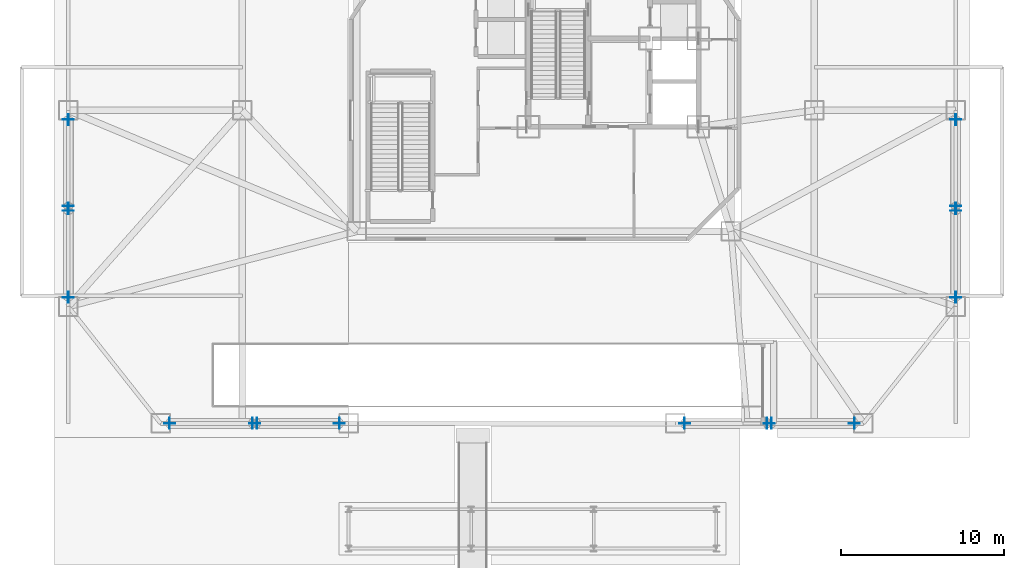
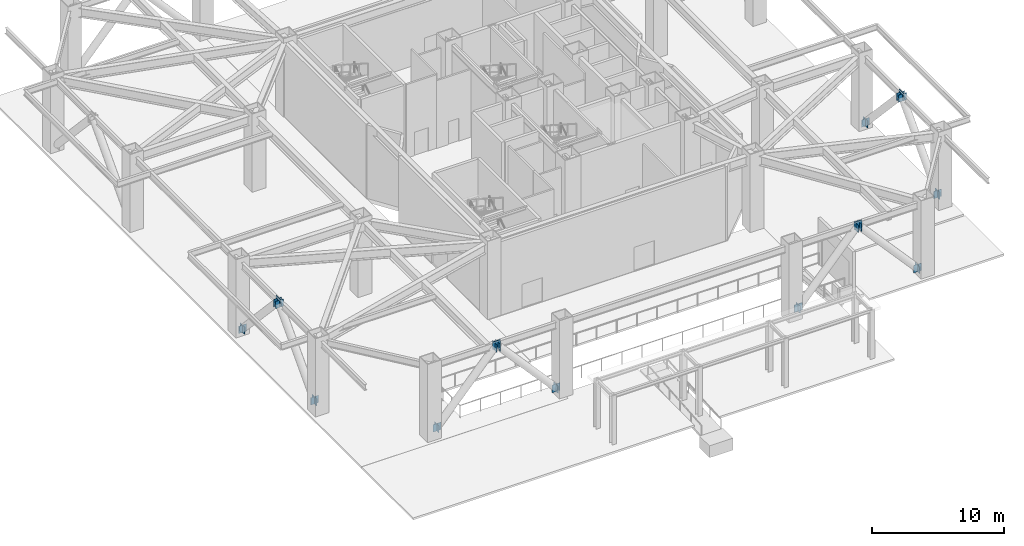
# One storey, part 7 of 14: 28 plates.
"""IFC4 building model written with IfcOpenShell, lengths in metres."""

from ifc_helpers import new_model, si_unit, direction, frame, origin, origin_2d, place, context, subcontext, project, spatial, rectangle, extrude, material, layer, layer_set, type_object, element, save


model = new_model("IFC4")

# Units and contexts
model_context = context("Model", 3, precision=1e-05, world=origin(), true_north=direction((0.0, 1.0)))
body_context = subcontext(model_context, "Body", "Model", "MODEL_VIEW")
ifc_project = project(units=[si_unit("LENGTHUNIT", "METRE"), si_unit("AREAUNIT", "SQUARE_METRE"), si_unit("VOLUMEUNIT", "CUBIC_METRE"), si_unit("PLANEANGLEUNIT", "RADIAN"), si_unit("MASSUNIT", "GRAM", prefix="KILO")], contexts=[model_context])

# Site, building, storey
site_placement = place(None, origin())
site = spatial("IfcSite", under=ifc_project, at=site_placement, CompositionType="ELEMENT")
building_placement = place(site_placement, origin())
building = spatial("IfcBuilding", under=site, at=building_placement, Name="Khamvora Tower", CompositionType="ELEMENT")
storey_placement = place(building_placement, origin())
storey = spatial("IfcBuildingStorey", under=building, at=storey_placement, Name="L00", CompositionType="ELEMENT", Elevation=0.0)

# Plates
ifc_material_1 = material(Name="Steel S355", Category="steel")
ifc_layer_1 = layer(ifc_material_1, 0.02490234375)
ifc_layer_set_1 = layer_set([ifc_layer_1], Name="Steel S355")
plate_type_1 = type_object("IfcPlateType", Name="PL-CAP-25", PredefinedType="SHEET", material=ifc_layer_set_1)
for number, where, z_axis, x_axis, name in (
    (1, (7.052001953125, 0.85009765625, 0.322021484375), (0.0, 0.0, 1.0), (1.0, 0.0, 0.0), "L00 hollow section steel end cap plate 0380"),
    (2, (12.111083984375, 0.85009765625, 5.98193359375), (0.0, 0.0, 1.0), (1.0, 0.0, 0.0), "L00 hollow section steel end cap plate 0381"),
    (3, (17.447998046875, 0.85009765625, 0.322021484375), (0.0, 0.0, 1.0), (-1.0, 0.0, 0.0), "L00 hollow section steel end cap plate 0382"),
    (4, (12.388916015625, 0.85009765625, 5.98193359375), (0.0, 0.0, 1.0), (-1.0, 0.0, 0.0), "L00 hollow section steel end cap plate 0383"),
    (5, (38.552001953125, 0.85009765625, 0.322021484375), (0.0, 0.0, 1.0), (1.0, 0.0, 0.0), "L00 hollow section steel end cap plate 0384"),
    (6, (43.611083984375, 0.85009765625, 5.98193359375), (0.0, 0.0, 1.0), (1.0, 0.0, 0.0), "L00 hollow section steel end cap plate 0385"),
    (7, (48.947998046875, 0.85009765625, 0.322021484375), (0.0, 0.0, 1.0), (-1.0, 0.0, 0.0), "L00 hollow section steel end cap plate 0386"),
    (8, (43.888916015625, 0.85009765625, 5.98193359375), (0.0, 0.0, 1.0), (-1.0, 0.0, 0.0), "L00 hollow section steel end cap plate 0387"),
    (9, (0.85009765625, 8.56396484375, 0.31005859375), (0.0, 0.0, 1.0), (0.0, 1.0, 0.0), "L00 hollow section steel end cap plate 0396"),
    (10, (0.85009765625, 13.85888671875, 5.985107421875), (0.0, 0.0, 1.0), (0.0, 1.0, 0.0), "L00 hollow section steel end cap plate 0397"),
    (11, (0.85009765625, 19.43603515625, 0.31005859375), (0.0, 0.0, 1.0), (0.0, -1.0, 0.0), "L00 hollow section steel end cap plate 0398"),
    (12, (0.85009765625, 14.14111328125, 5.985107421875), (0.0, 0.0, 1.0), (0.0, -1.0, 0.0), "L00 hollow section steel end cap plate 0399"),
    (13, (55.14990234375, 8.56396484375, 0.31005859375), (0.0, 0.0, 1.0), (0.0, 1.0, 0.0), "L00 hollow section steel end cap plate 0404"),
    (14, (55.14990234375, 13.85888671875, 5.985107421875), (0.0, 0.0, 1.0), (0.0, 1.0, 0.0), "L00 hollow section steel end cap plate 0405"),
    (15, (55.14990234375, 19.43603515625, 0.31005859375), (0.0, 0.0, 1.0), (0.0, -1.0, 0.0), "L00 hollow section steel end cap plate 0406"),
    (16, (55.14990234375, 14.14111328125, 5.985107421875), (0.0, 0.0, 1.0), (0.0, -1.0, 0.0), "L00 hollow section steel end cap plate 0407"),
):
    element("IfcPlate", number, at=place(storey_placement, frame(where, z_axis=z_axis, x_axis=x_axis)), inside=storey, type_object=plate_type_1, Name=name, PredefinedType="SHEET", context=body_context, shape_type="SweptSolid", body=[
        extrude(rectangle(XDim=0.02490234375, YDim=0.669921875, at=origin_2d()), origin(), (0.0, 0.0, 1.0), 0.669921875),
    ])
ifc_material_2 = material(Name="Steel S460", Category="steel")
ifc_layer_2 = layer(ifc_material_2, 0.0400390625)
ifc_layer_set_2 = layer_set([ifc_layer_2], Name="Steel S460")
plate_type_2 = type_object("IfcPlateType", Name="PLT-GUS-40", PredefinedType="SHEET", material=ifc_layer_set_2)
for number, where, z_axis, x_axis, name in (
    (17, (7.06005859375, 0.85009765625, 0.326171875), (0.0, 0.0, 1.0), (1.0, 0.0, 0.0), "L00 brace connection node gusset plate 0001"),
    (18, (17.43994140625, 0.85009765625, 0.326171875), (0.0, 0.0, 1.0), (1.0, 0.0, 0.0), "L00 brace connection node gusset plate 0002"),
    (19, (12.25, 0.85009765625, 6.1318359375), (0.0, 0.0, 1.0), (1.0, 0.0, 0.0), "L00 brace connection node gusset plate 0003"),
    (20, (38.56005859375, 0.85009765625, 0.326171875), (0.0, 0.0, 1.0), (1.0, 0.0, 0.0), "L00 brace connection node gusset plate 0004"),
    (21, (48.93994140625, 0.85009765625, 0.326171875), (0.0, 0.0, 1.0), (1.0, 0.0, 0.0), "L00 brace connection node gusset plate 0005"),
    (22, (43.75, 0.85009765625, 6.1318359375), (0.0, 0.0, 1.0), (1.0, 0.0, 0.0), "L00 brace connection node gusset plate 0006"),
    (23, (0.85009765625, 8.572998046875, 0.31396484375), (0.0, 0.0, 1.0), (0.0, 1.0, 0.0), "L00 brace connection node gusset plate 0013"),
    (24, (0.85009765625, 19.427001953125, 0.31396484375), (0.0, 0.0, 1.0), (0.0, 1.0, 0.0), "L00 brace connection node gusset plate 0014"),
    (25, (0.85009765625, 14.0, 6.1318359375), (0.0, 0.0, 1.0), (0.0, 1.0, 0.0), "L00 brace connection node gusset plate 0015"),
    (26, (55.14990234375, 8.572998046875, 0.31396484375), (0.0, 0.0, 1.0), (0.0, 1.0, 0.0), "L00 brace connection node gusset plate 0019"),
    (27, (55.14990234375, 19.427001953125, 0.31396484375), (0.0, 0.0, 1.0), (0.0, 1.0, 0.0), "L00 brace connection node gusset plate 0020"),
    (28, (55.14990234375, 14.0, 6.1318359375), (0.0, 0.0, 1.0), (0.0, 1.0, 0.0), "L00 brace connection node gusset plate 0021"),
):
    element("IfcPlate", number, at=place(storey_placement, frame(where, z_axis=z_axis, x_axis=x_axis)), inside=storey, type_object=plate_type_2, Name=name, PredefinedType="SHEET", context=body_context, shape_type="SweptSolid", body=[
        extrude(rectangle(XDim=0.679931640625, YDim=0.0400390625, at=origin_2d()), origin(), (0.0, 0.0, 1.0), 0.679931640625),
    ])

save(model, "model.ifc")
